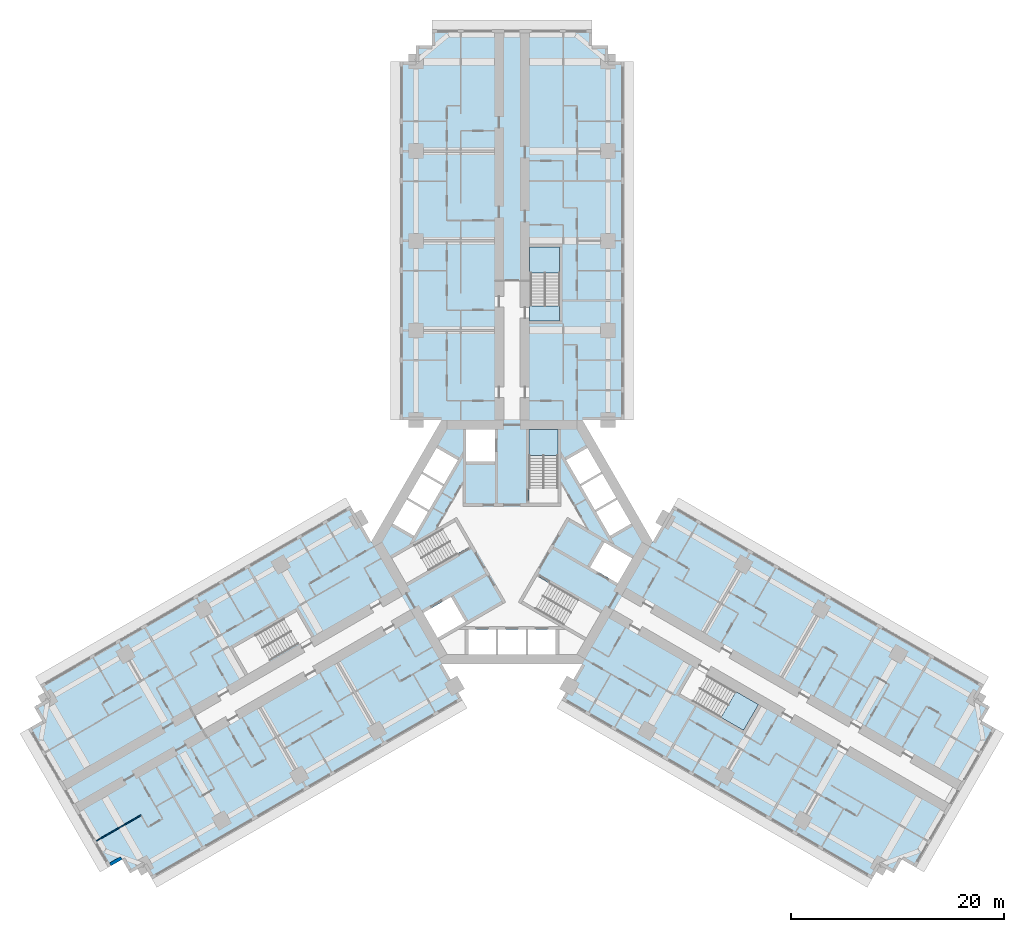
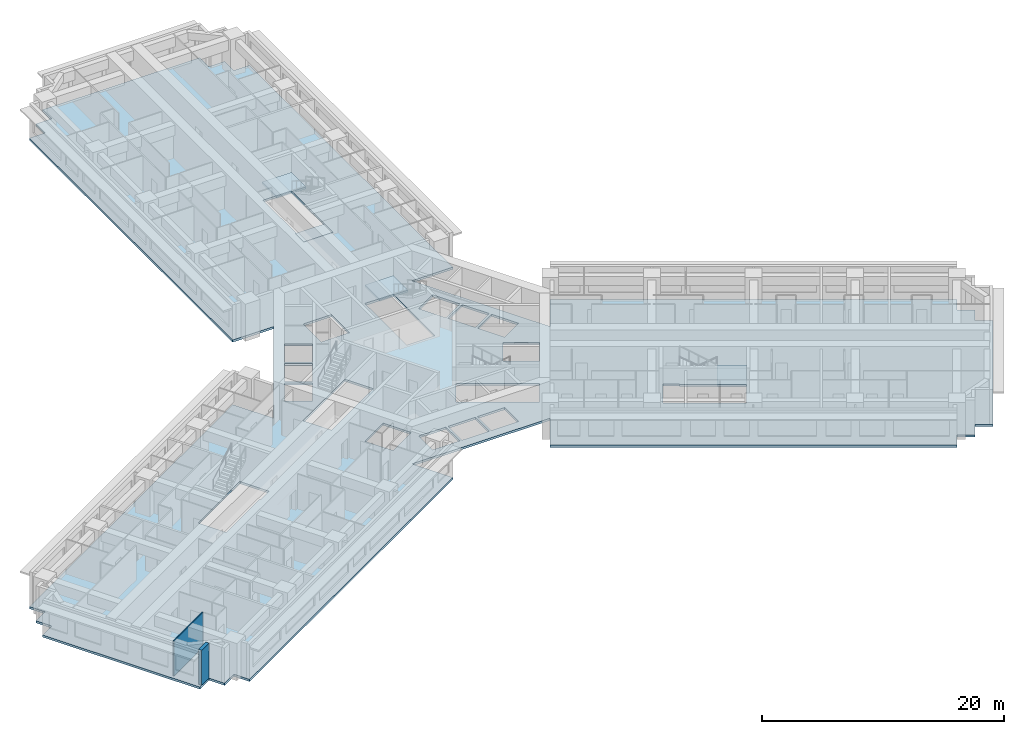
# One storey, part 2 of 16: 5 slabs, 2 walls, 3 elements without a shape of their own.
"""IFC4 building model written with IfcOpenShell, lengths in metres."""

from ifc_helpers import new_model, si_unit, direction, frame, frame_2d, origin, place, context, subcontext, project, spatial, polyline, rectangle, outline, extrude, material, layer, layer_set, type_object, element, aggregate, save


model = new_model("IFC4")

# Units and contexts
model_context = context("Model", 3, precision=1e-05, world=origin(), true_north=direction((0.0, 1.0)))
body_context = subcontext(model_context, "Body", "Model", "MODEL_VIEW")
ifc_project = project(units=[si_unit("LENGTHUNIT", "METRE"), si_unit("AREAUNIT", "SQUARE_METRE"), si_unit("VOLUMEUNIT", "CUBIC_METRE"), si_unit("PLANEANGLEUNIT", "RADIAN"), si_unit("MASSUNIT", "GRAM", prefix="KILO")], contexts=[model_context])

# Site, building, storey
site_placement = place(None, origin())
site = spatial("IfcSite", under=ifc_project, at=site_placement, CompositionType="ELEMENT")
building_placement = place(site_placement, origin())
building = spatial("IfcBuilding", under=site, at=building_placement, Name="Impinga Residences", CompositionType="ELEMENT")
storey_placement = place(building_placement, frame((0.0, 0.0, 71.0)))
storey = spatial("IfcBuildingStorey", under=building, at=storey_placement, Name="L17", CompositionType="ELEMENT", Elevation=71.0)

# Slab
ifc_material_1 = material(Name="Concrete C60/75", Category="concrete")
ifc_layer_1 = layer(ifc_material_1, 0.219970703125)
ifc_layer_set_1 = layer_set([ifc_layer_1], Name="Concrete C60/75")
slab_type_1 = type_object("IfcSlabType", Name="FS1 tower floor slab 220", PredefinedType="FLOOR", material=ifc_layer_set_1)
slab_1_placement = place(storey_placement, frame((0.0, 0.0, -0.219970703125)))
element("IfcSlab", 1, at=slab_1_placement, inside=storey, type_object=slab_type_1, Name="Floor slab FS1 L17", PredefinedType="FLOOR", context=body_context, shape_type="SweptSolid", body=[
    extrude(outline(polyline([(-34.49853515625, -30.31005859375), (-35.797607421875, -31.06005859375), (-36.547607421875, -29.760986328125), (-37.846435546875, -30.510986328125), (-45.346435546875, -17.5205078125), (-44.047607421875, -16.7705078125), (-44.797607421875, -15.471435546875), (-43.49853515625, -14.721435546875), (-44.24853515625, -13.422607421875), (-15.14990234375, 3.37744140625), (-13.199951171875, 0.0), (-6.60009765625, 11.431640625), (-10.5, 11.431640625), (-10.5, 45.031494140625), (-9.0, 45.031494140625), (-9.0, 46.531494140625), (-7.5, 46.531494140625), (-7.5, 48.031494140625), (7.5, 48.031494140625), (7.5, 46.531494140625), (9.0, 46.531494140625), (9.0, 45.031494140625), (10.5, 45.031494140625), (10.5, 11.431640625), (6.60009765625, 11.431640625), (13.199951171875, 0.0), (15.14990234375, 3.37744140625), (44.24853515625, -13.422607421875), (43.49853515625, -14.721435546875), (44.797607421875, -15.471435546875), (44.047607421875, -16.7705078125), (45.346435546875, -17.5205078125), (37.846435546875, -30.510986328125), (36.547607421875, -29.760986328125), (35.797607421875, -31.06005859375), (34.49853515625, -30.31005859375), (33.74853515625, -31.609130859375), (4.64990234375, -14.80908203125), (9.900146484375, -5.7158203125), (6.60009765625, -11.431640625), (-6.60009765625, -11.431640625), (-9.900146484375, -5.7158203125), (-4.64990234375, -14.80908203125), (-33.74853515625, -31.609130859375), (-34.49853515625, -30.31005859375)]), holes=[polyline([(-21.391357421875, -7.2119140625), (-26.154541015625, -9.9619140625), (-24.8046875, -12.30029296875), (-20.04150390625, -9.55029296875), (-19.991455078125, -9.63671875), (-18.779052734375, -8.936767578125), (-18.8291015625, -8.850341796875), (-18.8291015625, -8.850341796875), (-20.178955078125, -6.511962890625), (-21.391357421875, -7.2119140625), (-21.391357421875, -7.2119140625)]), polyline([(-1.5, -8.2314453125), (-4.10009765625, -8.2314453125), (-4.10009765625, -10.531494140625), (-1.5, -10.531494140625), (-1.5, -8.2314453125)]), polyline([(1.300048828125, -8.2314453125), (-1.300048828125, -8.2314453125), (-1.300048828125, -10.531494140625), (1.300048828125, -10.531494140625), (1.300048828125, -8.2314453125)]), polyline([(1.5, -8.2314453125), (1.5, -10.531494140625), (4.10009765625, -10.531494140625), (4.10009765625, -8.2314453125), (1.5, -8.2314453125)]), polyline([(-5.72119140625, -5.150634765625), (-8.320556640625, -6.6513671875), (-6.970458984375, -8.98974609375), (-4.37109375, -7.489013671875), (-5.72119140625, -5.150634765625)]), polyline([(-3.943603515625, -0.429443359375), (-5.293701171875, 1.908935546875), (-11.2705078125, -1.541748046875), (-9.920654296875, -3.880126953125), (-3.943603515625, -0.429443359375)]), polyline([(-9.1787109375, 0.56494140625), (-7.878662109375, 2.816650390625), (-9.87060546875, 3.966796875), (-11.170654296875, 1.715087890625), (-9.1787109375, 0.56494140625)]), polyline([(-6.478759765625, 5.24169921875), (-8.470458984375, 6.3916015625), (-9.7705078125, 4.139892578125), (-7.77880859375, 2.989990234375), (-6.478759765625, 5.24169921875)]), polyline([(-6.378662109375, 5.414794921875), (-5.07861328125, 7.66650390625), (-7.070556640625, 8.81640625), (-8.37060546875, 6.564697265625), (-6.378662109375, 5.414794921875)]), polyline([(-4.300048828125, 7.530029296875), (-1.60009765625, 7.530029296875), (-1.60009765625, 10.531494140625), (-4.300048828125, 10.531494140625), (-4.300048828125, 7.530029296875)]), polyline([(15.72900390625, -14.219482421875), (21.70458984375, -17.669677734375), (23.0546875, -15.331298828125), (18.29150390625, -12.581298828125), (18.341552734375, -12.49462890625), (17.129150390625, -11.794677734375), (15.72900390625, -14.219482421875)]), polyline([(0.99365234375, -5.538818359375), (6.970458984375, -8.98974609375), (8.320556640625, -6.6513671875), (2.34375, -3.20068359375), (0.99365234375, -5.538818359375)]), polyline([(8.671142578125, -0.041015625), (7.3212890625, -2.37939453125), (9.920654296875, -3.880126953125), (11.2705078125, -1.541748046875), (8.671142578125, -0.041015625)]), polyline([(7.878662109375, 2.816650390625), (9.1787109375, 0.56494140625), (11.170654296875, 1.715087890625), (9.87060546875, 3.966796875), (7.878662109375, 2.816650390625)]), polyline([(7.77880859375, 2.989990234375), (9.7705078125, 4.139892578125), (8.470458984375, 6.3916015625), (6.478759765625, 5.24169921875), (7.77880859375, 2.989990234375)]), polyline([(1.60009765625, 3.6298828125), (4.300048828125, 3.6298828125), (4.300048828125, 10.531494140625), (1.60009765625, 10.531494140625), (1.60009765625, 3.6298828125)]), polyline([(5.07861328125, 7.66650390625), (6.378662109375, 5.414794921875), (8.37060546875, 6.564697265625), (7.070556640625, 8.81640625), (5.07861328125, 7.66650390625)]), polyline([(1.75, 22.131591796875), (1.64990234375, 22.131591796875), (1.64990234375, 20.7314453125), (1.75, 20.7314453125), (4.449951171875, 20.7314453125), (4.449951171875, 22.131591796875), (4.449951171875, 27.631591796875), (1.75, 27.631591796875), (1.75, 22.131591796875)])]), origin(), (0.0, 0.0, 1.0), 0.219970703125),
])

# Stair, slab
ifc_material_2 = material(Name="Concrete C40/50", Category="concrete")
stair_type_1 = type_object("IfcStairType", Name="STR core stair 3750 storey, 24 risers", PredefinedType="HALF_TURN_STAIR", material=ifc_material_2)
stair_1_placement = place(storey_placement, origin())
stair_1 = element("IfcStair", 2, at=stair_1_placement, inside=storey, type_object=stair_type_1, Name="Stair ST1 L17", PredefinedType="HALF_TURN_STAIR")
ifc_layer_2 = layer(ifc_material_2, 0.199951171875)
ifc_layer_set_2 = layer_set([ifc_layer_2], Name="Concrete C40/50")
slab_type_2 = type_object("IfcSlabType", Name="LS1 stair landing 200", PredefinedType="LANDING", material=ifc_layer_set_2)
slab_2_placement = place(storey_placement, frame((0.0, 0.0, 1.675048828125)))
slab_2 = element("IfcSlab", 3, at=slab_2_placement, type_object=slab_type_2, Name="ST1 landing 2", PredefinedType="LANDING", context=body_context, shape_type="SweptSolid", body=[
    extrude(outline(polyline([(1.60009765625, 8.10009765625), (4.300048828125, 8.10009765625), (4.300048828125, 10.531494140625), (1.60009765625, 10.531494140625), (1.60009765625, 8.10009765625)])), origin(), (0.0, 0.0, 1.0), 0.199951171875),
])
aggregate(stair_1, [slab_2])

# Stair, slabs
stair_type_2 = type_object("IfcStairType", Name="STR wing stair 3750 storey, 24 risers", PredefinedType="HALF_TURN_STAIR", material=ifc_material_2)
stair_2_placement = place(storey_placement, origin())
stair_2 = element("IfcStair", 4, at=stair_2_placement, inside=storey, type_object=stair_type_2, Name="Stair WS1 L17", PredefinedType="HALF_TURN_STAIR")
slab_3_placement = place(storey_placement, frame((0.0, 0.0, -0.199951171875)))
slab_3 = element("IfcSlab", 5, at=slab_3_placement, type_object=slab_type_2, Name="WS1 landing 1", PredefinedType="LANDING", context=body_context, shape_type="SweptSolid", body=[
    extrude(outline(polyline([(1.64990234375, 20.7314453125), (4.449951171875, 20.7314453125), (4.449951171875, 22.1416015625), (1.64990234375, 22.1416015625), (1.64990234375, 20.7314453125)])), origin(), (0.0, 0.0, 1.0), 0.199951171875),
])
slab_4_placement = place(storey_placement, frame((0.0, 0.0, 1.675048828125)))
slab_4 = element("IfcSlab", 6, at=slab_4_placement, type_object=slab_type_2, Name="WS1 landing 2", PredefinedType="LANDING", context=body_context, shape_type="SweptSolid", body=[
    extrude(outline(polyline([(1.64990234375, 25.201416015625), (4.449951171875, 25.201416015625), (4.449951171875, 27.631591796875), (1.64990234375, 27.631591796875), (1.64990234375, 25.201416015625)])), origin(), (0.0, 0.0, 1.0), 0.199951171875),
])
aggregate(stair_2, [slab_3, slab_4])

# Stair, slab
stair_3_placement = place(storey_placement, origin())
stair_3 = element("IfcStair", 7, at=stair_3_placement, inside=storey, type_object=stair_type_2, Name="Stair WS3 L17", PredefinedType="HALF_TURN_STAIR")
slab_5_placement = place(storey_placement, frame((0.0, 0.0, 1.675048828125)))
slab_5 = element("IfcSlab", 8, at=slab_5_placement, type_object=slab_type_2, Name="WS3 landing 2", PredefinedType="LANDING", context=body_context, shape_type="SweptSolid", body=[
    extrude(outline(polyline([(21.000244140625, -14.02978515625), (19.60009765625, -16.45458984375), (21.70458984375, -17.669677734375), (23.1044921875, -15.24462890625), (21.000244140625, -14.02978515625)])), origin(), (0.0, 0.0, 1.0), 0.199951171875),
])
aggregate(stair_3, [slab_5])

# Walls
ifc_material_3 = material(Name="Terracotta rainscreen on blockwork", Category="masonry")
ifc_layer_3 = layer(ifc_material_3, 0.300048828125)
ifc_layer_set_3 = layer_set([ifc_layer_3], Name="EW1 external wall, terracotta rainscreen on blockwork 300")
wall_type_1 = type_object("IfcWallType", Name="EW1 external wall, terracotta rainscreen on blockwork 300", PredefinedType="SOLIDWALL", material=ifc_layer_set_3)
wall_1_placement = place(storey_placement, frame((-36.626708984375, -29.633544921875, 0.0), z_axis=(0.0, 0.0, 1.0), x_axis=(-0.866059708757, -0.499940577336, 0.0)))
element("IfcWall", 9, at=wall_1_placement, inside=storey, type_object=wall_type_1, Name="External wall EW1 L17", PredefinedType="SOLIDWALL", context=body_context, shape_type="SweptSolid", body=[
    extrude(rectangle(XDim=1.195068359375, YDim=0.300048828125, at=frame_2d((0.59765625, 0.0))), origin(), (0.0, 0.0, 1.0), 3.530029296875),
])
ifc_material_4 = material(Name="Gypsum board on steel studs", Category="steel")
ifc_layer_4 = layer(ifc_material_4, 0.10009765625)
ifc_layer_set_4 = layer_set([ifc_layer_4], Name="Gypsum board on steel studs")
wall_type_2 = type_object("IfcWallType", Name="IP1 partition 100", PredefinedType="PARTITIONING", material=ifc_layer_set_4)
wall_2_placement = place(storey_placement, frame((-34.77978515625, -25.622802734375, 0.0), z_axis=(0.0, 0.0, 1.0), x_axis=(-0.866037363387, -0.499979284789, 0.0)))
element("IfcWall", 10, at=wall_2_placement, inside=storey, type_object=wall_type_2, Name="Partition L17-WA5:DIV1", PredefinedType="PARTITIONING", context=body_context, shape_type="SweptSolid", body=[
    extrude(rectangle(XDim=4.800048828125, YDim=0.10009765625, at=frame_2d((2.39990234375, 0.0))), origin(), (0.0, 0.0, 1.0), 3.530029296875),
])

save(model, "model.ifc")
